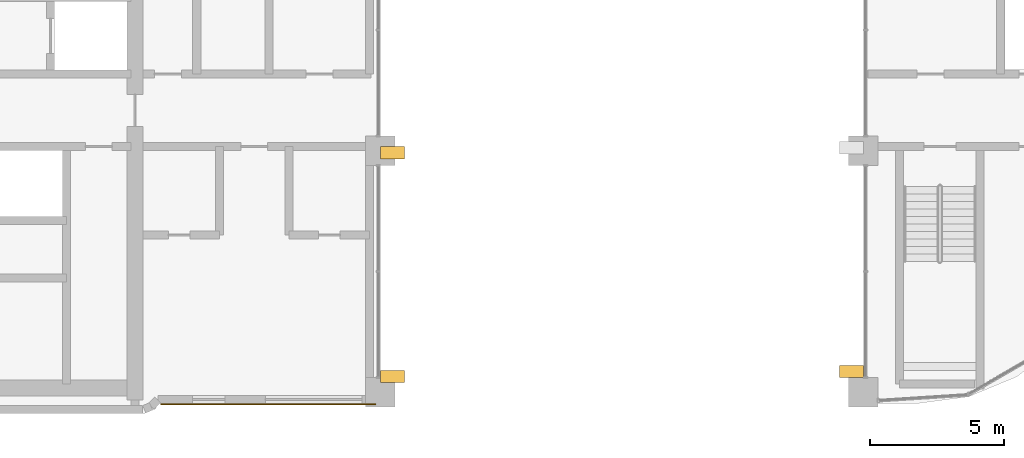
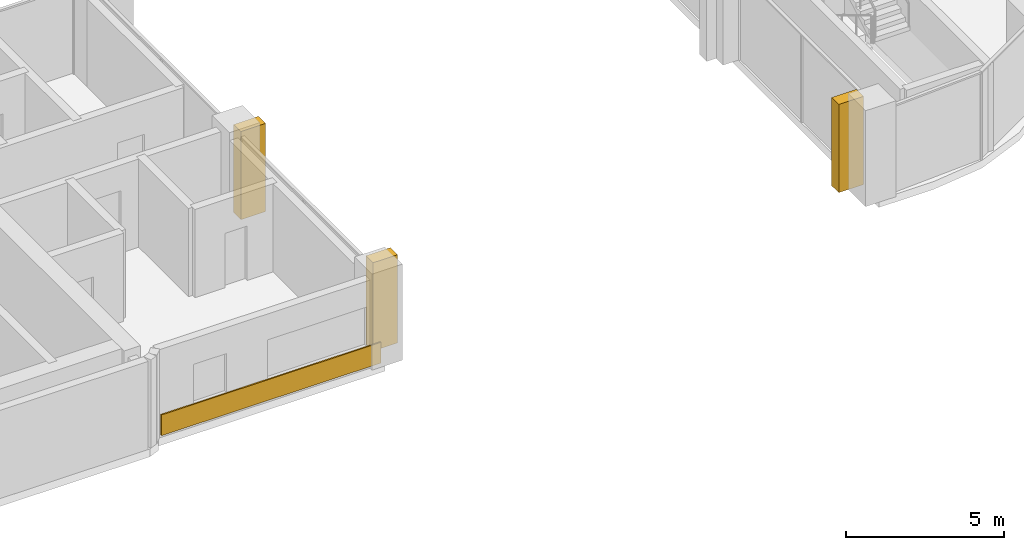
# One storey, part 18 of 21: 4 coverings.
"""IFC4 building model written with IfcOpenShell, lengths in metres."""

from ifc_helpers import new_model, si_unit, direction, frame, origin, origin_2d, place, context, subcontext, project, spatial, rectangle, extrude, material, layer, layer_set, type_object, element, save


model = new_model("IFC4")

# Units and contexts
model_context = context("Model", 3, precision=1e-05, world=origin(), true_north=direction((0.0, 1.0)))
body_context = subcontext(model_context, "Body", "Model", "MODEL_VIEW")
ifc_project = project(units=[si_unit("LENGTHUNIT", "METRE"), si_unit("AREAUNIT", "SQUARE_METRE"), si_unit("VOLUMEUNIT", "CUBIC_METRE"), si_unit("PLANEANGLEUNIT", "RADIAN"), si_unit("MASSUNIT", "GRAM", prefix="KILO")], contexts=[model_context])

# Site, building, storey
site_placement = place(None, origin())
site = spatial("IfcSite", under=ifc_project, at=site_placement, CompositionType="ELEMENT")
building_placement = place(site_placement, origin())
building = spatial("IfcBuilding", under=site, at=building_placement, Name="Ogive Portal Towers", CompositionType="ELEMENT")
storey_placement = place(building_placement, frame((0.0, 0.0, 157.0)))
storey = spatial("IfcBuildingStorey", under=building, at=storey_placement, Name="L38", CompositionType="ELEMENT", Elevation=157.0)

# Coverings
ifc_material = material(Name="Limestone cladding on lightweight block wall", Category="masonry")
ifc_layer_1 = layer(ifc_material, 0.449951171875)
ifc_layer_set_1 = layer_set([ifc_layer_1], Name="BUTTRESS PIER STONE")
covering_type_1 = type_object("IfcCoveringType", Name="BUTTRESS PIER STONE", PredefinedType="CLADDING", material=ifc_layer_set_1)
for number, where, z_axis, x_axis, name in (
    (1, (67.949951171875, 30.419921875, 0.0), (0.0, 0.0, 1.0), (1.0, 0.0, 0.0), "Buttress pier A1-F13.1"),
    (2, (67.949951171875, 22.074951171875, 0.0), (0.0, 0.0, 1.0), (1.0, 0.0, 0.0), "Buttress pier A1-F13.2"),
    (3, (85.050048828125, 22.267822265625, 0.0), (0.0, 0.0, 1.0), (1.0, 0.0, 0.0), "Buttress pier A2-F01.3"),
):
    element("IfcCovering", number, at=place(storey_placement, frame(where, z_axis=z_axis, x_axis=x_axis)), inside=storey, type_object=covering_type_1, Name=name, PredefinedType="CLADDING", context=body_context, shape_type="SweptSolid", body=[
        extrude(rectangle(XDim=0.89990234375, YDim=0.449951171875, at=origin_2d()), origin(), (0.0, 0.0, 1.0), 3.39990234375),
    ])
ifc_layer_2 = layer(ifc_material, 0.050048828125)
ifc_layer_set_2 = layer_set([ifc_layer_2], Name="SCREEN PERFORATED STONE")
covering_type_2 = type_object("IfcCoveringType", Name="SCREEN PERFORATED STONE", PredefinedType="CLADDING", material=ifc_layer_set_2)
covering_placement = place(storey_placement, frame((63.3134765625, 21.050048828125, 0.10009765625), z_axis=(0.0, 0.0, 1.0), x_axis=(1.0, 0.0, 0.0)))
element("IfcCovering", 4, at=covering_placement, inside=storey, type_object=covering_type_2, Name="Tracery screen", PredefinedType="CLADDING", context=body_context, shape_type="SweptSolid", body=[
    extrude(rectangle(XDim=8.01318359375, YDim=0.050048828125, at=origin_2d()), origin(), (0.0, 0.0, 1.0), 0.800048828125),
])

save(model, "model.ifc")
